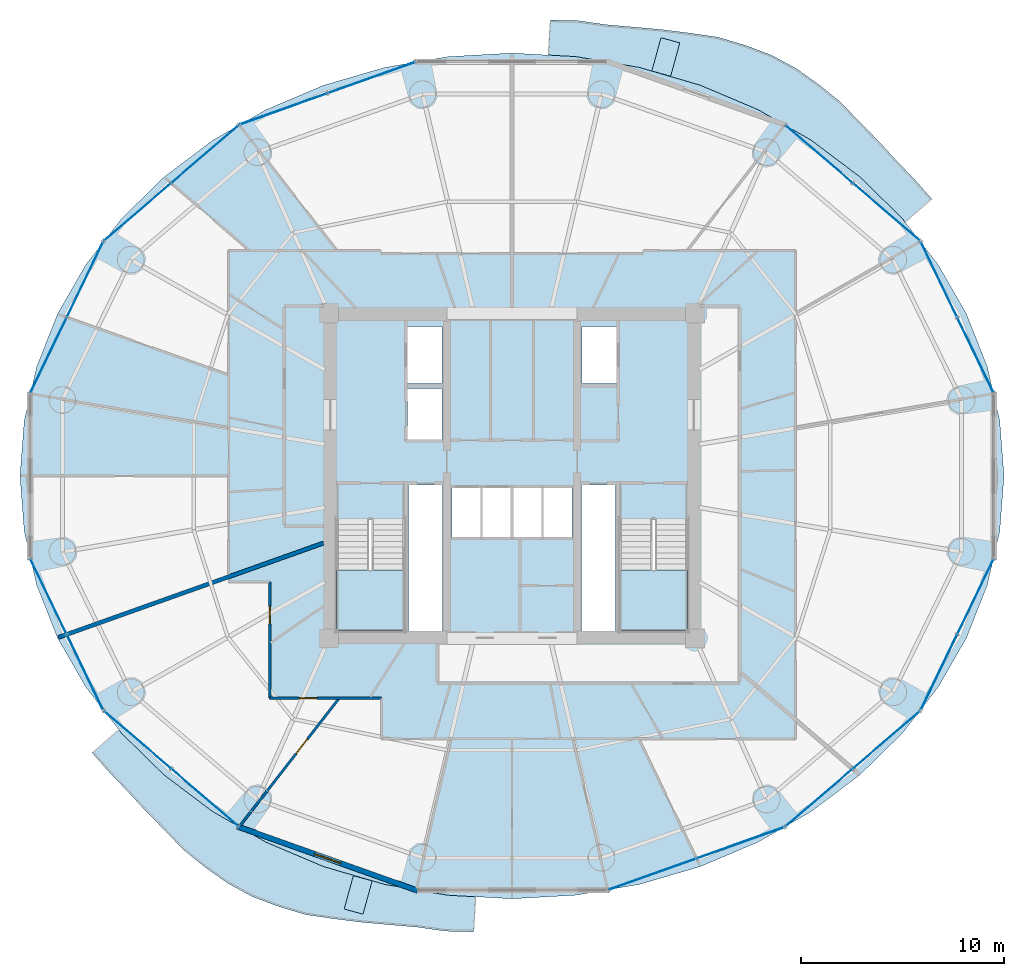
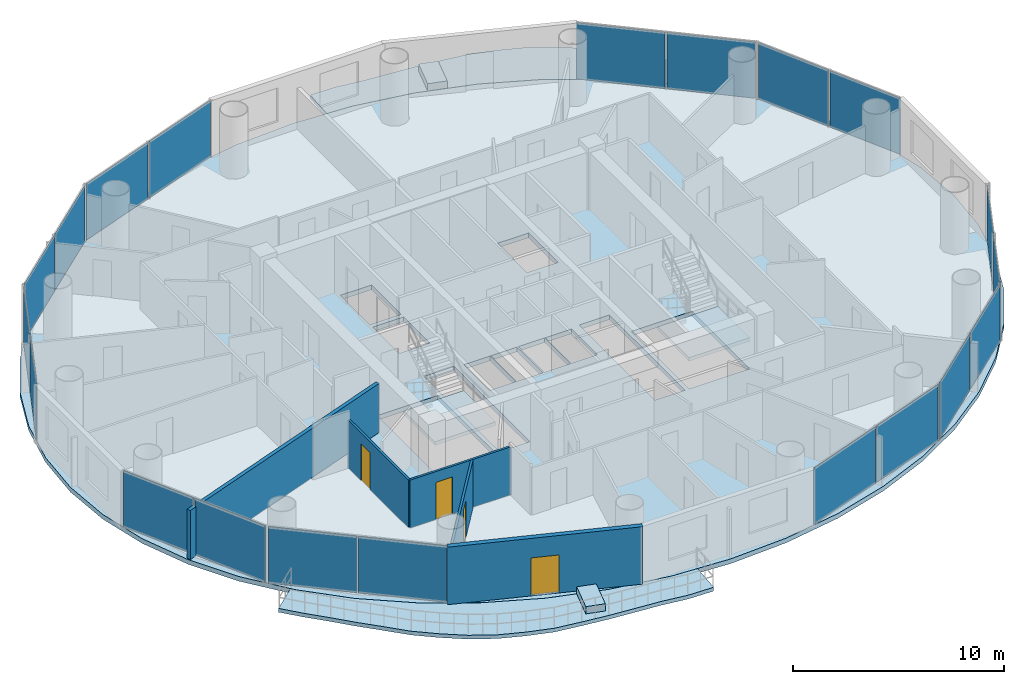
# One storey, part 20 of 27: 20 plates, 7 slabs, 5 walls, 4 doors, 4 openings, 12 elements without a shape of their own.
"""IFC4 building model written with IfcOpenShell, lengths in metres."""

from ifc_helpers import new_model, si_unit, direction, frame, frame_2d, origin, origin_2d, place, context, subcontext, project, spatial, polyline, rectangle, outline, extrude, source, transform, mapped, material, layer, layer_set, type_object, element, fill, aggregate, save


model = new_model("IFC4")

# Units and contexts
model_context = context("Model", 3, precision=1e-05, world=origin(), true_north=direction((-0.2419218956, 0.970295726276)))
body_context = subcontext(model_context, "Body", "Model", "MODEL_VIEW")
ifc_project = project(units=[si_unit("LENGTHUNIT", "METRE"), si_unit("AREAUNIT", "SQUARE_METRE"), si_unit("VOLUMEUNIT", "CUBIC_METRE"), si_unit("PLANEANGLEUNIT", "RADIAN"), si_unit("MASSUNIT", "GRAM", prefix="KILO")], contexts=[model_context])

# Site, building, storey
site_placement = place(None, origin())
site = spatial("IfcSite", under=ifc_project, at=site_placement, CompositionType="ELEMENT")
building_placement = place(site_placement, origin())
building = spatial("IfcBuilding", under=site, at=building_placement, Name="Cobrevalo Terracotta Tower", CompositionType="ELEMENT")
storey_placement = place(building_placement, frame((0.0, 0.0, 149.800048828125)))
storey = spatial("IfcBuildingStorey", under=building, at=storey_placement, Name="L39", CompositionType="ELEMENT", Elevation=149.800048828125)

# Stair, slab
ifc_material_1 = material(Name="Concrete C50", Category="concrete")
stair_type = type_object("IfcStairType", Name="Core protected escape dogleg stair 1600", PredefinedType="HALF_TURN_STAIR", material=ifc_material_1)
stair_1_placement = place(storey_placement, origin())
stair_1 = element("IfcStair", 1, at=stair_1_placement, inside=storey, type_object=stair_type, Name="L39 Protected exit stair ST-1", PredefinedType="HALF_TURN_STAIR")
ifc_layer_1 = layer(ifc_material_1, 0.199951171875)
ifc_layer_set_1 = layer_set([ifc_layer_1], Name="Concrete C50")
slab_type_1 = type_object("IfcSlabType", Name="Reinforced Concrete Stair Landing 200", PredefinedType="LANDING", material=ifc_layer_set_1)
slab_1_placement = place(storey_placement, frame((0.0, 0.0, 1.599853515625)))
slab_1 = element("IfcSlab", 2, at=slab_1_placement, type_object=slab_type_1, Name="ST-1 landing 1", PredefinedType="LANDING", context=body_context, shape_type="SweptSolid", body=[
    extrude(outline(polyline([(29.375, 22.179931640625), (29.375, 19.175048828125), (32.695068359375, 19.175048828125), (32.695068359375, 22.179931640625), (29.375, 22.179931640625)])), origin(), (0.0, 0.0, 1.0), 0.2001953125),
])
aggregate(stair_1, [slab_1])

stair_2_placement = place(storey_placement, origin())
stair_2 = element("IfcStair", 3, at=stair_2_placement, inside=storey, type_object=stair_type, Name="L39 Protected exit stair ST-2", PredefinedType="HALF_TURN_STAIR")
slab_2_placement = place(storey_placement, frame((0.0, 0.0, 1.599853515625)))
slab_2 = element("IfcSlab", 4, at=slab_2_placement, type_object=slab_type_1, Name="ST-2 landing 1", PredefinedType="LANDING", context=body_context, shape_type="SweptSolid", body=[
    extrude(outline(polyline([(43.304931640625, 22.179931640625), (43.304931640625, 19.175048828125), (46.625, 19.175048828125), (46.625, 22.179931640625), (43.304931640625, 22.179931640625)])), origin(), (0.0, 0.0, 1.0), 0.2001953125),
])
aggregate(stair_2, [slab_2])

# Slabs
ifc_material_2 = material(Name="Concrete C45", Category="concrete")
ifc_layer_2 = layer(ifc_material_2, 0.219970703125)
ifc_layer_set_2 = layer_set([ifc_layer_2], Name="Concrete C45")
slab_type_2 = type_object("IfcSlabType", Name="Spiralling cantilevered balcony lobe slab 220 mm", PredefinedType="FLOOR", material=ifc_layer_set_2)
slab_3_placement = place(storey_placement, frame((0.0, 0.0, -0.219970703125)))
element("IfcSlab", 5, at=slab_3_placement, inside=storey, type_object=slab_type_2, Name="L39 spiralling arc balcony slab lobe 1", PredefinedType="FLOOR", context=body_context, shape_type="SweptSolid", body=[
    extrude(outline(polyline([(58.6552734375, 40.416015625), (57.807861328125, 41.3759765625), (56.915283203125, 42.305908203125), (56.03173828125, 43.26513671875), (55.09765625, 44.21435546875), (54.158447265625, 45.189453125), (53.09619140625, 46.049072265625), (51.973876953125, 46.842529296875), (50.763427734375, 47.498779296875), (49.46240234375, 47.986572265625), (48.13623046875, 48.3837890625), (46.7431640625, 48.5849609375), (45.36279296875, 48.75830078125), (43.985595703125, 48.8798828125), (42.61572265625, 49.000244140625), (41.26416015625, 49.1923828125), (39.89306640625, 49.22607421875), (39.783203125, 47.50146484375), (41.158935546875, 47.424072265625), (44.263916015625, 46.893310546875), (47.26171875, 46.0185546875), (50.10107421875, 44.81494140625), (52.733154296875, 43.30322265625), (55.11328125, 41.50927734375), (57.20068359375, 39.46337890625), (57.347412109375, 39.274658203125), (58.6552734375, 40.416015625)])), origin(), (0.0, 0.0, 1.0), 0.219970703125),
])
slab_4_placement = place(storey_placement, frame((0.0, 0.0, -0.219970703125)))
element("IfcSlab", 6, at=slab_4_placement, inside=storey, type_object=slab_type_2, Name="L39 spiralling arc balcony slab lobe 2", PredefinedType="FLOOR", context=body_context, shape_type="SweptSolid", body=[
    extrude(outline(polyline([(17.3447265625, 13.18408203125), (18.192138671875, 12.223876953125), (19.084716796875, 11.294189453125), (19.96826171875, 10.3349609375), (20.90234375, 9.385498046875), (21.841552734375, 8.410400390625), (22.90380859375, 7.551025390625), (24.026123046875, 6.757568359375), (25.236572265625, 6.101318359375), (26.53759765625, 5.613525390625), (27.86376953125, 5.21630859375), (29.2568359375, 5.01513671875), (30.63720703125, 4.841796875), (32.014404296875, 4.72021484375), (33.38427734375, 4.599853515625), (34.73583984375, 4.40771484375), (36.10693359375, 4.3740234375), (36.216796875, 6.098388671875), (34.841064453125, 6.176025390625), (31.736083984375, 6.706787109375), (28.73828125, 7.58154296875), (25.89892578125, 8.784912109375), (23.266845703125, 10.296630859375), (20.88671875, 12.0908203125), (18.79931640625, 14.136474609375), (18.652587890625, 14.325439453125), (17.3447265625, 13.18408203125)])), origin(), (0.0, 0.0, 1.0), 0.219970703125),
])
ifc_material_3 = material(Name="Precast concrete C45", Category="concrete")
ifc_layer_3 = layer(ifc_material_3, 0.419921875)
ifc_layer_set_3 = layer_set([ifc_layer_3], Name="Precast concrete C45")
slab_type_3 = type_object("IfcSlabType", Name="Structural tree planter trough base 420 mm", PredefinedType="USERDEFINED", material=ifc_layer_set_3)
slab_5_placement = place(storey_placement, origin())
element("IfcSlab", 7, at=slab_5_placement, inside=storey, type_object=slab_type_3, Name="L39 structural tree planter trough 1", ObjectType="PLANTER", PredefinedType="USERDEFINED", context=body_context, shape_type="SweptSolid", body=[
    extrude(outline(polyline([(45.80419921875, 46.4619140625), (46.25341796875, 48.1015625), (45.32763671875, 48.355224609375), (44.87841796875, 46.715576171875), (45.80419921875, 46.4619140625)])), origin(), (0.0, 0.0, 1.0), 0.419921875),
])
slab_6_placement = place(storey_placement, origin())
element("IfcSlab", 8, at=slab_6_placement, inside=storey, type_object=slab_type_3, Name="L39 structural tree planter trough 2", ObjectType="PLANTER", PredefinedType="USERDEFINED", context=body_context, shape_type="SweptSolid", body=[
    extrude(outline(polyline([(30.19580078125, 7.13818359375), (29.74658203125, 5.49853515625), (30.67236328125, 5.244873046875), (31.12158203125, 6.884521484375), (30.19580078125, 7.13818359375)])), origin(), (0.0, 0.0, 1.0), 0.419921875),
])
ifc_layer_4 = layer(ifc_material_1, 0.27001953125)
ifc_layer_set_4 = layer_set([ifc_layer_4], Name="Concrete C50")
slab_type_4 = type_object("IfcSlabType", Name="Zone Z3 elliptical floor plate 270 mm", PredefinedType="FLOOR", material=ifc_layer_set_4)
slab_7_placement = place(storey_placement, frame((0.0, 0.0, -0.27001953125)))
element("IfcSlab", 9, at=slab_7_placement, inside=storey, type_object=slab_type_4, Name="L39 indoor elliptical floor slab", PredefinedType="FLOOR", context=body_context, shape_type="SweptSolid", body=[
    extrude(outline(polyline([(61.992919921875, 24.0849609375), (61.37548828125, 21.41650390625), (60.35791015625, 18.840087890625), (58.957763671875, 16.39990234375), (57.19921875, 14.1376953125), (55.112060546875, 12.09228515625), (52.73193359375, 10.29833984375), (50.10009765625, 8.78662109375), (47.260986328125, 7.583251953125), (44.263427734375, 6.708740234375), (41.15869140625, 6.177978515625), (38.0, 6.0), (34.84130859375, 6.177978515625), (31.736572265625, 6.708740234375), (28.739013671875, 7.583251953125), (25.89990234375, 8.78662109375), (23.26806640625, 10.29833984375), (20.887939453125, 12.09228515625), (18.80078125, 14.1376953125), (17.042236328125, 16.39990234375), (15.64208984375, 18.840087890625), (14.62451171875, 21.41650390625), (14.007080078125, 24.0849609375), (13.800048828125, 26.800048828125), (14.007080078125, 29.514892578125), (14.62451171875, 32.183349609375), (15.64208984375, 34.759765625), (17.042236328125, 37.199951171875), (18.80078125, 39.462158203125), (20.887939453125, 41.5078125), (23.26806640625, 43.3017578125), (25.89990234375, 44.813232421875), (28.739013671875, 46.0166015625), (31.736572265625, 46.891357421875), (34.84130859375, 47.422119140625), (38.0, 47.60009765625), (41.15869140625, 47.422119140625), (44.263427734375, 46.891357421875), (47.260986328125, 46.0166015625), (50.10009765625, 44.813232421875), (52.73193359375, 43.3017578125), (55.112060546875, 41.5078125), (57.19921875, 39.462158203125), (58.957763671875, 37.199951171875), (60.35791015625, 34.759765625), (61.37548828125, 32.183349609375), (61.992919921875, 29.514892578125), (62.199951171875, 26.800048828125), (61.992919921875, 24.0849609375)]), holes=[polyline([(32.695068359375, 19.175048828125), (32.695068359375, 24.659912109375), (29.375, 24.659912109375), (29.375, 19.175048828125), (32.695068359375, 19.175048828125)]), polyline([(34.574951171875, 26.360107421875), (32.919921875, 26.360107421875), (32.919921875, 19.175048828125), (34.574951171875, 19.175048828125), (34.574951171875, 26.360107421875)]), polyline([(36.47998046875, 26.25), (35.050048828125, 26.25), (35.050048828125, 23.800048828125), (36.47998046875, 23.800048828125), (36.47998046875, 26.25)]), polyline([(37.9599609375, 23.800048828125), (37.9599609375, 26.25), (36.530029296875, 26.25), (36.530029296875, 23.800048828125), (37.9599609375, 23.800048828125)]), polyline([(34.550048828125, 28.60009765625), (34.550048828125, 31.10009765625), (32.85009765625, 31.10009765625), (32.85009765625, 28.60009765625), (34.550048828125, 28.60009765625)]), polyline([(34.550048828125, 34.14990234375), (32.85009765625, 34.14990234375), (32.85009765625, 31.35009765625), (34.550048828125, 31.35009765625), (34.550048828125, 34.14990234375)]), polyline([(43.304931640625, 19.175048828125), (46.625, 19.175048828125), (46.625, 24.659912109375), (43.304931640625, 24.659912109375), (43.304931640625, 19.175048828125)]), polyline([(43.080078125, 19.175048828125), (43.080078125, 26.360107421875), (41.425048828125, 26.360107421875), (41.425048828125, 19.175048828125), (43.080078125, 19.175048828125)]), polyline([(39.469970703125, 26.25), (38.0400390625, 26.25), (38.0400390625, 23.800048828125), (39.469970703125, 23.800048828125), (39.469970703125, 26.25)]), polyline([(40.949951171875, 23.800048828125), (40.949951171875, 26.25), (39.52001953125, 26.25), (39.52001953125, 23.800048828125), (40.949951171875, 23.800048828125)]), polyline([(43.14990234375, 31.35009765625), (43.14990234375, 34.14990234375), (41.449951171875, 34.14990234375), (41.449951171875, 31.35009765625), (43.14990234375, 31.35009765625)])]), origin(), (0.0, 0.0, 1.0), 0.27001953125),
])

# Curtain wall, plates
ifc_material_4 = material(Name="Anodized aluminium", Category="aluminium")
curtain_wall_type = type_object("IfcCurtainWallType", Name="Mid-tower high-wind unitised curtain wall CW-U2", PredefinedType="NOTDEFINED", material=ifc_material_4)
curtain_wall_1_placement = place(storey_placement, origin())
curtain_wall_1 = element("IfcCurtainWall", 10, at=curtain_wall_1_placement, inside=storey, type_object=curtain_wall_type, Name="L39 curtain wall CW-L39-S02", PredefinedType="NOTDEFINED")
ifc_material_5 = material(Name="Solar-control low-E double glazing", Category="glass")
ifc_layer_5 = layer(ifc_material_5, 0.028076171875)
ifc_layer_set_5 = layer_set([ifc_layer_5], Name="Solar-control low-E double glazing")
plate_type = type_object("IfcPlateType", Name="Tower solar-control low-E vision glass panel 28 mm", PredefinedType="CURTAIN_PANEL", material=ifc_layer_set_5)
shared_shape_1 = source(origin(), body_context, "Body", "SweptSolid", [
    extrude(rectangle(XDim=4.276123046875, YDim=0.035888671875, at=origin_2d()), origin(), (0.0, 0.0, 1.0), 3.25),
])
plate_1_placement = place(storey_placement, frame((56.414306640625, 39.784912109375, 0.0400390625), z_axis=(0.0, 0.0, 1.0), x_axis=(-0.758436996112, 0.651746363955, 0.0)))
plate_1 = element("IfcPlate", 11, at=plate_1_placement, type_object=plate_type, Name="CW-L39-S02 glazing panel B01", PredefinedType="CURTAIN_PANEL", context=body_context, shape_type="MappedRepresentation", body=[
    mapped(shared_shape_1, transform((0.0, 0.0, 0.0), scale=1.0)),
])
plate_2_placement = place(storey_placement, frame((53.1103515625, 42.6240234375, 0.0400390625), z_axis=(0.0, 0.0, 1.0), x_axis=(-0.758436996112, 0.651746363955, 0.0)))
plate_2 = element("IfcPlate", 12, at=plate_2_placement, type_object=plate_type, Name="CW-L39-S02 glazing panel B02", PredefinedType="CURTAIN_PANEL", context=body_context, shape_type="MappedRepresentation", body=[
    mapped(shared_shape_1, transform((0.0, 0.0, 0.0), scale=1.0)),
])
aggregate(curtain_wall_1, [plate_1, plate_2])

curtain_wall_2_placement = place(storey_placement, origin())
curtain_wall_2 = element("IfcCurtainWall", 13, at=curtain_wall_2_placement, inside=storey, type_object=curtain_wall_type, Name="L39 curtain wall CW-L39-S06", PredefinedType="NOTDEFINED")
plate_3_placement = place(storey_placement, frame((22.8896484375, 42.6240234375, 0.0400390625), z_axis=(0.0, 0.0, 1.0), x_axis=(-0.758436996112, -0.651746363955, 0.0)))
plate_3 = element("IfcPlate", 14, at=plate_3_placement, type_object=plate_type, Name="CW-L39-S06 glazing panel B01", PredefinedType="CURTAIN_PANEL", context=body_context, shape_type="MappedRepresentation", body=[
    mapped(shared_shape_1, transform((0.0, 0.0, 0.0), scale=1.0)),
])
plate_4_placement = place(storey_placement, frame((19.585693359375, 39.784912109375, 0.0400390625), z_axis=(0.0, 0.0, 1.0), x_axis=(-0.758436996112, -0.651746363955, 0.0)))
plate_4 = element("IfcPlate", 15, at=plate_4_placement, type_object=plate_type, Name="CW-L39-S06 glazing panel B02", PredefinedType="CURTAIN_PANEL", context=body_context, shape_type="MappedRepresentation", body=[
    mapped(shared_shape_1, transform((0.0, 0.0, 0.0), scale=1.0)),
])
aggregate(curtain_wall_2, [plate_3, plate_4])

curtain_wall_3_placement = place(storey_placement, origin())
curtain_wall_3 = element("IfcCurtainWall", 16, at=curtain_wall_3_placement, inside=storey, type_object=curtain_wall_type, Name="L39 curtain wall CW-L39-S10", PredefinedType="NOTDEFINED")
plate_5_placement = place(storey_placement, frame((19.585693359375, 13.815185546875, 0.0400390625), z_axis=(0.0, 0.0, 1.0), x_axis=(0.758436996112, -0.651746363955, 0.0)))
plate_5 = element("IfcPlate", 17, at=plate_5_placement, type_object=plate_type, Name="CW-L39-S10 glazing panel B01", PredefinedType="CURTAIN_PANEL", context=body_context, shape_type="MappedRepresentation", body=[
    mapped(shared_shape_1, transform((0.0, 0.0, 0.0), scale=1.0)),
])
plate_6_placement = place(storey_placement, frame((22.8896484375, 10.97607421875, 0.0400390625), z_axis=(0.0, 0.0, 1.0), x_axis=(0.758436996112, -0.651746363955, 0.0)))
plate_6 = element("IfcPlate", 18, at=plate_6_placement, type_object=plate_type, Name="CW-L39-S10 glazing panel B02", PredefinedType="CURTAIN_PANEL", context=body_context, shape_type="MappedRepresentation", body=[
    mapped(shared_shape_1, transform((0.0, 0.0, 0.0), scale=1.0)),
])
aggregate(curtain_wall_3, [plate_5, plate_6])

curtain_wall_4_placement = place(storey_placement, origin())
curtain_wall_4 = element("IfcCurtainWall", 19, at=curtain_wall_4_placement, inside=storey, type_object=curtain_wall_type, Name="L39 curtain wall CW-L39-S14", PredefinedType="NOTDEFINED")
plate_7_placement = place(storey_placement, frame((53.1103515625, 10.97607421875, 0.0400390625), z_axis=(0.0, 0.0, 1.0), x_axis=(0.758436996112, 0.651746363955, 0.0)))
plate_7 = element("IfcPlate", 20, at=plate_7_placement, type_object=plate_type, Name="CW-L39-S14 glazing panel B01", PredefinedType="CURTAIN_PANEL", context=body_context, shape_type="MappedRepresentation", body=[
    mapped(shared_shape_1, transform((0.0, 0.0, 0.0), scale=1.0)),
])
plate_8_placement = place(storey_placement, frame((56.414306640625, 13.815185546875, 0.0400390625), z_axis=(0.0, 0.0, 1.0), x_axis=(0.758436996112, 0.651746363955, 0.0)))
plate_8 = element("IfcPlate", 21, at=plate_8_placement, type_object=plate_type, Name="CW-L39-S14 glazing panel B02", PredefinedType="CURTAIN_PANEL", context=body_context, shape_type="MappedRepresentation", body=[
    mapped(shared_shape_1, transform((0.0, 0.0, 0.0), scale=1.0)),
])
aggregate(curtain_wall_4, [plate_7, plate_8])

curtain_wall_5_placement = place(storey_placement, origin())
curtain_wall_5 = element("IfcCurtainWall", 22, at=curtain_wall_5_placement, inside=storey, type_object=curtain_wall_type, Name="L39 curtain wall CW-L39-S01", PredefinedType="NOTDEFINED")
shared_shape_2 = source(origin(), body_context, "Body", "SweptSolid", [
    extrude(rectangle(XDim=4.035888671875, YDim=0.035888671875, at=origin_2d()), origin(), (0.0, 0.0, 1.0), 3.25),
])
plate_9_placement = place(storey_placement, frame((60.794677734375, 32.741943359375, 0.0400390625), z_axis=(0.0, 0.0, 1.0), x_axis=(-0.434209440271, 0.900811945957, 0.0)))
plate_9 = element("IfcPlate", 23, at=plate_9_placement, type_object=plate_type, Name="CW-L39-S01 glazing panel B01", PredefinedType="CURTAIN_PANEL", context=body_context, shape_type="MappedRepresentation", body=[
    mapped(shared_shape_2, transform((0.0, 0.0, 0.0), scale=1.0)),
])
plate_10_placement = place(storey_placement, frame((59.007568359375, 36.449462890625, 0.0400390625), z_axis=(0.0, 0.0, 1.0), x_axis=(-0.434209440271, 0.900811945957, 0.0)))
plate_10 = element("IfcPlate", 24, at=plate_10_placement, type_object=plate_type, Name="CW-L39-S01 glazing panel B02", PredefinedType="CURTAIN_PANEL", context=body_context, shape_type="MappedRepresentation", body=[
    mapped(shared_shape_2, transform((0.0, 0.0, 0.0), scale=1.0)),
])
aggregate(curtain_wall_5, [plate_9, plate_10])

curtain_wall_6_placement = place(storey_placement, origin())
curtain_wall_6 = element("IfcCurtainWall", 25, at=curtain_wall_6_placement, inside=storey, type_object=curtain_wall_type, Name="L39 curtain wall CW-L39-S07", PredefinedType="NOTDEFINED")
plate_11_placement = place(storey_placement, frame((16.992431640625, 36.449462890625, 0.0400390625), z_axis=(0.0, 0.0, 1.0), x_axis=(-0.434209440271, -0.900811945957, 0.0)))
plate_11 = element("IfcPlate", 26, at=plate_11_placement, type_object=plate_type, Name="CW-L39-S07 glazing panel B01", PredefinedType="CURTAIN_PANEL", context=body_context, shape_type="MappedRepresentation", body=[
    mapped(shared_shape_2, transform((0.0, 0.0, 0.0), scale=1.0)),
])
plate_12_placement = place(storey_placement, frame((15.205322265625, 32.741943359375, 0.0400390625), z_axis=(0.0, 0.0, 1.0), x_axis=(-0.434209440271, -0.900811945957, 0.0)))
plate_12 = element("IfcPlate", 27, at=plate_12_placement, type_object=plate_type, Name="CW-L39-S07 glazing panel B02", PredefinedType="CURTAIN_PANEL", context=body_context, shape_type="MappedRepresentation", body=[
    mapped(shared_shape_2, transform((0.0, 0.0, 0.0), scale=1.0)),
])
aggregate(curtain_wall_6, [plate_11, plate_12])

curtain_wall_7_placement = place(storey_placement, origin())
curtain_wall_7 = element("IfcCurtainWall", 28, at=curtain_wall_7_placement, inside=storey, type_object=curtain_wall_type, Name="L39 curtain wall CW-L39-S09", PredefinedType="NOTDEFINED")
plate_13_placement = place(storey_placement, frame((15.205322265625, 20.858154296875, 0.0400390625), z_axis=(0.0, 0.0, 1.0), x_axis=(0.434209440271, -0.900811945957, 0.0)))
plate_13 = element("IfcPlate", 29, at=plate_13_placement, type_object=plate_type, Name="CW-L39-S09 glazing panel B01", PredefinedType="CURTAIN_PANEL", context=body_context, shape_type="MappedRepresentation", body=[
    mapped(shared_shape_2, transform((0.0, 0.0, 0.0), scale=1.0)),
])
plate_14_placement = place(storey_placement, frame((16.992431640625, 17.150634765625, 0.0400390625), z_axis=(0.0, 0.0, 1.0), x_axis=(0.434209440271, -0.900811945957, 0.0)))
plate_14 = element("IfcPlate", 30, at=plate_14_placement, type_object=plate_type, Name="CW-L39-S09 glazing panel B02", PredefinedType="CURTAIN_PANEL", context=body_context, shape_type="MappedRepresentation", body=[
    mapped(shared_shape_2, transform((0.0, 0.0, 0.0), scale=1.0)),
])
aggregate(curtain_wall_7, [plate_13, plate_14])

curtain_wall_8_placement = place(storey_placement, origin())
curtain_wall_8 = element("IfcCurtainWall", 31, at=curtain_wall_8_placement, inside=storey, type_object=curtain_wall_type, Name="L39 curtain wall CW-L39-S15", PredefinedType="NOTDEFINED")
plate_15_placement = place(storey_placement, frame((59.007568359375, 17.150634765625, 0.0400390625), z_axis=(0.0, 0.0, 1.0), x_axis=(0.434209440271, 0.900811945957, 0.0)))
plate_15 = element("IfcPlate", 32, at=plate_15_placement, type_object=plate_type, Name="CW-L39-S15 glazing panel B01", PredefinedType="CURTAIN_PANEL", context=body_context, shape_type="MappedRepresentation", body=[
    mapped(shared_shape_2, transform((0.0, 0.0, 0.0), scale=1.0)),
])
plate_16_placement = place(storey_placement, frame((60.794677734375, 20.858154296875, 0.0400390625), z_axis=(0.0, 0.0, 1.0), x_axis=(0.434209440271, 0.900811945957, 0.0)))
plate_16 = element("IfcPlate", 33, at=plate_16_placement, type_object=plate_type, Name="CW-L39-S15 glazing panel B02", PredefinedType="CURTAIN_PANEL", context=body_context, shape_type="MappedRepresentation", body=[
    mapped(shared_shape_2, transform((0.0, 0.0, 0.0), scale=1.0)),
])
aggregate(curtain_wall_8, [plate_15, plate_16])

curtain_wall_9_placement = place(storey_placement, origin())
curtain_wall_9 = element("IfcCurtainWall", 34, at=curtain_wall_9_placement, inside=storey, type_object=curtain_wall_type, Name="L39 curtain wall CW-L39-S05", PredefinedType="NOTDEFINED")
shared_shape_3 = source(origin(), body_context, "Body", "SweptSolid", [
    extrude(rectangle(XDim=4.504150390625, YDim=0.035888671875, at=origin_2d()), origin(), (0.0, 0.0, 1.0), 3.25),
])
plate_17_placement = place(storey_placement, frame((31.087646484375, 46.388916015625, 0.0400390625), z_axis=(0.0, 0.0, 1.0), x_axis=(-0.942098428897, -0.335336473217, 0.0)))
plate_17 = element("IfcPlate", 35, at=plate_17_placement, type_object=plate_type, Name="CW-L39-S05 glazing panel B01", PredefinedType="CURTAIN_PANEL", context=body_context, shape_type="MappedRepresentation", body=[
    mapped(shared_shape_3, transform((0.0, 0.0, 0.0), scale=1.0)),
])
plate_18_placement = place(storey_placement, frame((26.768798828125, 44.8515625, 0.0400390625), z_axis=(0.0, 0.0, 1.0), x_axis=(-0.942098428897, -0.335336473217, 0.0)))
plate_18 = element("IfcPlate", 36, at=plate_18_placement, type_object=plate_type, Name="CW-L39-S05 glazing panel B02", PredefinedType="CURTAIN_PANEL", context=body_context, shape_type="MappedRepresentation", body=[
    mapped(shared_shape_3, transform((0.0, 0.0, 0.0), scale=1.0)),
])
aggregate(curtain_wall_9, [plate_17, plate_18])

curtain_wall_10_placement = place(storey_placement, origin())
curtain_wall_10 = element("IfcCurtainWall", 37, at=curtain_wall_10_placement, inside=storey, type_object=curtain_wall_type, Name="L39 curtain wall CW-L39-S13", PredefinedType="NOTDEFINED")
plate_19_placement = place(storey_placement, frame((44.912353515625, 7.211181640625, 0.0400390625), z_axis=(0.0, 0.0, 1.0), x_axis=(0.942098428897, 0.335336473217, 0.0)))
plate_19 = element("IfcPlate", 38, at=plate_19_placement, type_object=plate_type, Name="CW-L39-S13 glazing panel B01", PredefinedType="CURTAIN_PANEL", context=body_context, shape_type="MappedRepresentation", body=[
    mapped(shared_shape_3, transform((0.0, 0.0, 0.0), scale=1.0)),
])
plate_20_placement = place(storey_placement, frame((49.231201171875, 8.748291015625, 0.0400390625), z_axis=(0.0, 0.0, 1.0), x_axis=(0.942098428897, 0.335336473217, 0.0)))
plate_20 = element("IfcPlate", 39, at=plate_20_placement, type_object=plate_type, Name="CW-L39-S13 glazing panel B02", PredefinedType="CURTAIN_PANEL", context=body_context, shape_type="MappedRepresentation", body=[
    mapped(shared_shape_3, transform((0.0, 0.0, 0.0), scale=1.0)),
])
aggregate(curtain_wall_10, [plate_19, plate_20])

# Wall
ifc_material_6 = material(Name="Autoclaved aerated concrete block", Category="concrete")
ifc_layer_6 = layer(ifc_material_6, 0.199951171875)
ifc_layer_set_6 = layer_set([ifc_layer_6], Name="Autoclaved aerated concrete block")
wall_type_1 = type_object("IfcWallType", Name="Fire-rated stair, shaft & demising masonry wall 200 mm", PredefinedType="PARTITIONING", material=ifc_layer_set_6)
wall_1_placement = place(storey_placement, frame((28.72314453125, 23.497314453125, 0.0), z_axis=(0.0, 0.0, 1.0), x_axis=(-0.942077095572, -0.335396401292, 0.0)))
element("IfcWall", 40, at=wall_1_placement, inside=storey, type_object=wall_type_1, Name="L39 interior partition IW-L39-DEM-2", PredefinedType="PARTITIONING", context=body_context, shape_type="SweptSolid", body=[
    extrude(rectangle(XDim=13.8232421875, YDim=0.199951171875, at=frame_2d((6.91162109375, 0.0))), origin(), (0.0, 0.0, 1.0), 2.845947265625),
])

# Wall, opening, door
ifc_layer_7 = layer(ifc_material_6, 0.260009765625)
ifc_layer_set_7 = layer_set([ifc_layer_7], Name="Autoclaved aerated concrete block")
wall_type_2 = type_object("IfcWallType", Name="Recessed balcony loggia insulated exterior wall 260 mm", PredefinedType="SOLIDWALL", material=ifc_layer_set_7)
wall_2_placement = place(storey_placement, frame((24.49658203125, 9.55712890625, 0.0), z_axis=(0.0, 0.0, 1.0), x_axis=(0.942103604331, -0.335321932934, 0.0)))
wall_2 = element("IfcWall", 41, at=wall_2_placement, inside=storey, type_object=wall_type_2, Name="L39 balcony loggia wall S11", PredefinedType="SOLIDWALL", context=body_context, shape_type="SweptSolid", body=[
    extrude(rectangle(XDim=9.408203125, YDim=0.260009765625, at=frame_2d((4.7041015625, 0.0))), origin(), (0.0, 0.0, 1.0), 3.329833984375),
])
opening_1_placement = place(wall_2_placement, frame((4.029052734375, 0.0, 0.0)))
opening_1 = element("IfcOpeningElement", 42, at=opening_1_placement, cuts=wall_2, Name="Opening ED-05", PredefinedType="OPENING", context=body_context, shape_type="SweptSolid", body=[
    extrude(rectangle(XDim=1.35009765625, YDim=2.199951171875, at=frame_2d((0.675048828125, 1.10009765625))), frame((0.0, 0.14013671875, 0.0), z_axis=(0.0, -1.0, 0.0), x_axis=(1.0, 0.0, 0.0)), (0.0, 0.0, 1.0), 0.280029296875),
])
ifc_material_7 = material(Name="Anodized aluminium and laminated glass", Category="aluminium")
door_type_1 = type_object("IfcDoorType", Name="Suite balcony acoustic glazed terrace door 1350x2200", OperationType="NOTDEFINED", PredefinedType="DOOR", material=ifc_material_7)
shared_shape_4 = source(origin(), body_context, "Body", "SweptSolid", [
    extrude(rectangle(XDim=1.35009765625, YDim=2.199951171875, at=frame_2d((0.675048828125, 1.10009765625))), frame((0.0, 0.02490234375, 0.0), z_axis=(0.0, -1.0, 0.0), x_axis=(1.0, 0.0, 0.0)), (0.0, 0.0, 1.0), 0.050048828125),
])
door_1_placement = place(opening_1_placement, frame((1.35009765625, 0.0, 0.0), z_axis=(0.0, 0.0, 1.0), x_axis=(-1.0, 0.0, 0.0)))
door_1 = element("IfcDoor", 43, at=door_1_placement, inside=storey, type_object=door_type_1, Name="L39 glazed balcony terrace door 2", OperationType="SINGLE_SWING_RIGHT", OverallHeight=2.199951171875, OverallWidth=1.35009765625, PredefinedType="DOOR", context=body_context, shape_type="MappedRepresentation", body=[
    mapped(shared_shape_4, transform((0.0, 0.0, 0.0), scale=1.0)),
])
fill(opening_1, door_1)

ifc_material_8 = material(Name="Gypsum board on steel stud", Category="steel")
ifc_layer_8 = layer(ifc_material_8, 0.1201171875)
ifc_layer_set_8 = layer_set([ifc_layer_8], Name="Gypsum board on steel stud")
wall_type_3 = type_object("IfcWallType", Name="Residential internal acoustic stud partition 120 mm", PredefinedType="PARTITIONING", material=ifc_layer_set_8)
wall_3_placement = place(storey_placement, frame((31.590087890625, 15.875, 0.0), z_axis=(0.0, 0.0, 1.0), x_axis=(-1.0, 0.0, 0.0)))
wall_3 = element("IfcWall", 44, at=wall_3_placement, inside=storey, type_object=wall_type_3, Name="L39 interior partition IW-L39-U2-RING3_0", PredefinedType="PARTITIONING", context=body_context, shape_type="SweptSolid", body=[
    extrude(rectangle(XDim=5.51513671875, YDim=0.1201171875, at=frame_2d((2.757568359375, 0.0))), origin(), (0.0, 0.0, 1.0), 2.77587890625),
])
opening_2_placement = place(wall_3_placement, frame((3.189208984375, 0.0, 0.0)))
opening_2 = element("IfcOpeningElement", 45, at=opening_2_placement, cuts=wall_3, Name="Opening ID-12", PredefinedType="OPENING", context=body_context, shape_type="SweptSolid", body=[
    extrude(rectangle(XDim=0.89990234375, YDim=2.14990234375, at=frame_2d((0.449951171875, 1.074951171875))), frame((0.0, 0.070068359375, 0.0), z_axis=(0.0, -1.0, 0.0), x_axis=(1.0, 0.0, 0.0)), (0.0, 0.0, 1.0), 0.14013671875),
])
ifc_material_9 = material(Name="Engineered timber", Category="wood")
door_type_2 = type_object("IfcDoorType", Name="Internal residence & suite timber door 900x2150", OperationType="NOTDEFINED", PredefinedType="DOOR", material=ifc_material_9)
shared_shape_5 = source(origin(), body_context, "Body", "SweptSolid", [
    extrude(rectangle(XDim=0.89990234375, YDim=2.14990234375, at=frame_2d((0.449951171875, 1.074951171875))), frame((0.0, 0.02490234375, 0.0), z_axis=(0.0, -1.0, 0.0), x_axis=(1.0, 0.0, 0.0)), (0.0, 0.0, 1.0), 0.050048828125),
])
door_2_placement = place(opening_2_placement, frame((0.89990234375, 0.0, 0.0), z_axis=(0.0, 0.0, 1.0), x_axis=(-1.0, 0.0, 0.0)))
door_2 = element("IfcDoor", 46, at=door_2_placement, inside=storey, type_object=door_type_2, Name="Flat L39B Private Library Meeting Room internal door", OperationType="SINGLE_SWING_LEFT", OverallHeight=2.14990234375, OverallWidth=0.89990234375, PredefinedType="DOOR", context=body_context, shape_type="MappedRepresentation", body=[
    mapped(shared_shape_5, transform((0.0, 0.0, 0.0), scale=1.0)),
])
fill(opening_2, door_2)

wall_4_placement = place(storey_placement, frame((26.074951171875, 15.875, 0.0), z_axis=(0.0, 0.0, 1.0), x_axis=(0.0, 1.0, 0.0)))
wall_4 = element("IfcWall", 47, at=wall_4_placement, inside=storey, type_object=wall_type_3, Name="L39 interior partition IW-L39-U2-RING4_0", PredefinedType="PARTITIONING", context=body_context, shape_type="SweptSolid", body=[
    extrude(rectangle(XDim=5.715087890625, YDim=0.1201171875, at=frame_2d((2.857421875, 0.0))), origin(), (0.0, 0.0, 1.0), 2.77587890625),
])
opening_3_placement = place(wall_4_placement, frame((3.647705078125, 0.0, 0.0)))
opening_3 = element("IfcOpeningElement", 48, at=opening_3_placement, cuts=wall_4, Name="Opening ID-19", PredefinedType="OPENING", context=body_context, shape_type="SweptSolid", body=[
    extrude(rectangle(XDim=0.860107421875, YDim=2.14990234375, at=frame_2d((0.43017578125, 1.074951171875))), frame((0.0, 0.070068359375, 0.0), z_axis=(0.0, -1.0, 0.0), x_axis=(1.0, 0.0, 0.0)), (0.0, 0.0, 1.0), 0.14013671875),
])
ifc_material_10 = material(Name="Moisture-sealed timber", Category="wood")
door_type_3 = type_object("IfcDoorType", Name="Suite bathroom internal timber door 860x2150", OperationType="NOTDEFINED", PredefinedType="DOOR", material=ifc_material_10)
shared_shape_6 = source(origin(), body_context, "Body", "SweptSolid", [
    extrude(rectangle(XDim=0.860107421875, YDim=2.14990234375, at=frame_2d((0.43017578125, 1.074951171875))), frame((0.0, 0.02490234375, 0.0), z_axis=(0.0, -1.0, 0.0), x_axis=(1.0, 0.0, 0.0)), (0.0, 0.0, 1.0), 0.050048828125),
])
door_3_placement = place(opening_3_placement, frame((0.860107421875, 0.0, 0.0), z_axis=(0.0, 0.0, 1.0), x_axis=(-1.0, 0.0, 0.0)))
door_3 = element("IfcDoor", 49, at=door_3_placement, inside=storey, type_object=door_type_3, Name="Flat L39B Guest Bathroom internal door", OperationType="SINGLE_SWING_RIGHT", OverallHeight=2.14990234375, OverallWidth=0.860107421875, PredefinedType="DOOR", context=body_context, shape_type="MappedRepresentation", body=[
    mapped(shared_shape_6, transform((0.0, 0.0, 0.0), scale=1.0)),
])
fill(opening_3, door_3)

wall_5_placement = place(storey_placement, frame((29.46875, 15.826171875, 0.0), z_axis=(0.0, 0.0, 1.0), x_axis=(-0.61373942367, -0.789508657225, 0.0)))
wall_5 = element("IfcWall", 50, at=wall_5_placement, inside=storey, type_object=wall_type_3, Name="L39 interior partition IW-L39-U2-ORAD1", PredefinedType="PARTITIONING", context=body_context, shape_type="SweptSolid", body=[
    extrude(rectangle(XDim=7.897705078125, YDim=0.1201171875, at=frame_2d((3.94873046875, 0.0))), origin(), (0.0, 0.0, 1.0), 2.77587890625),
])
opening_4_placement = place(wall_5_placement, frame((2.49609375, 0.0, 0.0)))
opening_4 = element("IfcOpeningElement", 51, at=opening_4_placement, cuts=wall_5, Name="Opening ID-12", PredefinedType="OPENING", context=body_context, shape_type="SweptSolid", body=[
    extrude(rectangle(XDim=0.89990234375, YDim=2.14990234375, at=frame_2d((0.449951171875, 1.074951171875))), frame((0.0, 0.070068359375, 0.0), z_axis=(0.0, -1.0, 0.0), x_axis=(1.0, 0.0, 0.0)), (0.0, 0.0, 1.0), 0.14013671875),
])
door_4_placement = place(opening_4_placement, frame((0.89990234375, 0.0, 0.0), z_axis=(0.0, 0.0, 1.0), x_axis=(-1.0, 0.0, 0.0)))
door_4 = element("IfcDoor", 52, at=door_4_placement, inside=storey, type_object=door_type_2, Name="Flat L39B Living and Dining Room internal door", OperationType="SINGLE_SWING_LEFT", OverallHeight=2.14990234375, OverallWidth=0.89990234375, PredefinedType="DOOR", context=body_context, shape_type="MappedRepresentation", body=[
    mapped(shared_shape_5, transform((0.0, 0.0, 0.0), scale=1.0)),
])
fill(opening_4, door_4)

save(model, "model.ifc")
